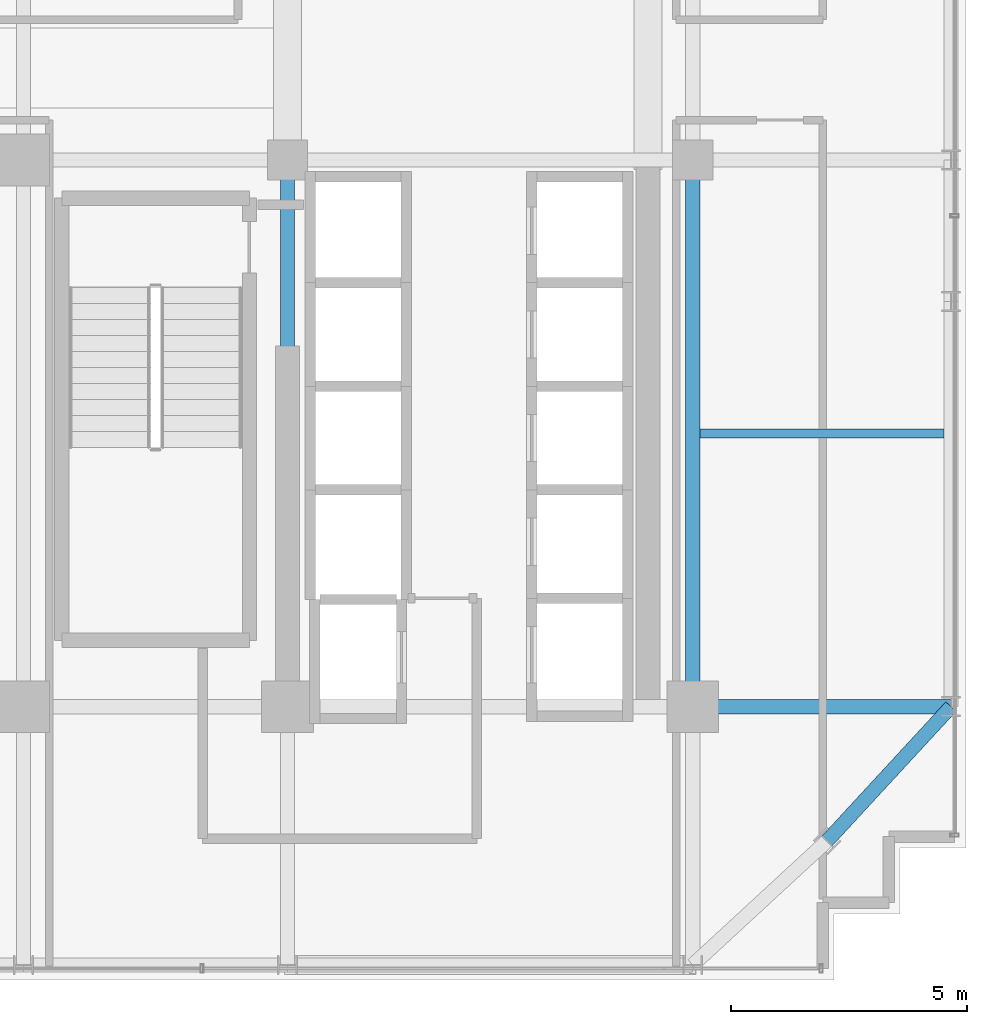
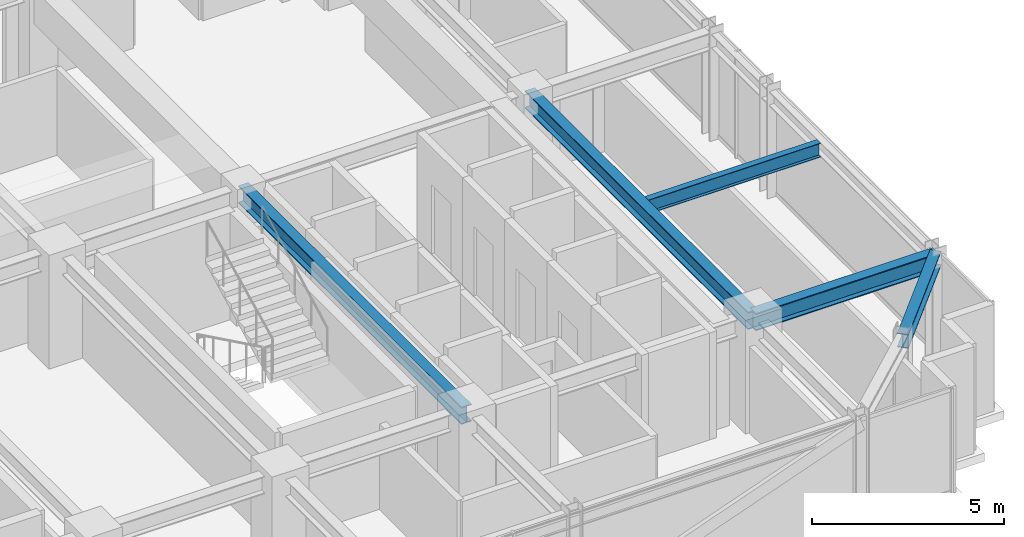
# One storey, part 11 of 32: 5 beams.
"""IFC4 building model written with IfcOpenShell, lengths in metres."""

from ifc_helpers import new_model, si_unit, direction, frame, origin, origin_2d, place, context, subcontext, project, spatial, i_section, extrude, source, transform, mapped, material, material_profile, profile_set, type_object, element, save


model = new_model("IFC4")

# Units and contexts
model_context = context("Model", 3, precision=1e-05, world=origin(), true_north=direction((0.0, 1.0)))
body_context = subcontext(model_context, "Body", "Model", "MODEL_VIEW")
ifc_project = project(units=[si_unit("LENGTHUNIT", "METRE"), si_unit("AREAUNIT", "SQUARE_METRE"), si_unit("VOLUMEUNIT", "CUBIC_METRE"), si_unit("PLANEANGLEUNIT", "RADIAN"), si_unit("MASSUNIT", "GRAM", prefix="KILO")], contexts=[model_context])

# Site, building, storey
site_placement = place(None, origin())
site = spatial("IfcSite", under=ifc_project, at=site_placement, CompositionType="ELEMENT")
building_placement = place(site_placement, origin())
building = spatial("IfcBuilding", under=site, at=building_placement, Name="Nahalor Promenade Grand Hotel", CompositionType="ELEMENT")
storey_placement = place(building_placement, frame((0.0, 0.0, 152.64990234375)))
storey = spatial("IfcBuildingStorey", under=building, at=storey_placement, Name="L38", CompositionType="ELEMENT", Elevation=152.64990234375)

# Beams
ifc_material = material(Name="Steel S355JR", Category="steel")
ifc_material_profile_1 = material_profile(ifc_material, i_section(OverallWidth=0.3, OverallDepth=0.55, WebThickness=0.015, FlangeThickness=0.029, at=origin_2d()), Name="HEB 550")
ifc_profile_set_1 = profile_set([ifc_material_profile_1], Name="Steel S355JR")
beam_type_1 = type_object("IfcBeamType", Name="Beam-Girder-HEB550", PredefinedType="BEAM", material=ifc_profile_set_1)
shared_shape_1 = source(origin(), body_context, "Body", "SweptSolid", [
    extrude(i_section(OverallWidth=0.3, OverallDepth=0.55, WebThickness=0.015, FlangeThickness=0.029, at=origin_2d()), origin(), (0.0, 0.0, 1.0), 11.60009765625),
])
for number, where, z_axis, x_axis, name in (
    (1, (8.39990234375, -17.0, 3.114990234375), (0.0, 1.0, 0.0), (-1.0, 0.0, 0.0), "BM-L38-GY-4-1"),
    (2, (17.0, -17.0, 3.114990234375), (0.0, 1.0, 0.0), (-1.0, 0.0, 0.0), "BM-L38-GY-5-1"),
):
    element("IfcBeam", number, at=place(storey_placement, frame(where, z_axis=z_axis, x_axis=x_axis)), inside=storey, type_object=beam_type_1, Name=name, PredefinedType="BEAM", context=body_context, shape_type="MappedRepresentation", body=[
        mapped(shared_shape_1, transform((0.0, 0.0, 0.0), scale=1.0)),
    ])
shared_shape_2 = source(origin(), body_context, "Body", "SweptSolid", [
    extrude(i_section(OverallWidth=0.3, OverallDepth=0.55, WebThickness=0.015, FlangeThickness=0.029, at=origin_2d()), origin(), (0.0, 0.0, 1.0), 5.47998046875),
])
beam_1_placement = place(storey_placement, frame((17.0, -17.0, 3.114990234375), z_axis=(1.0, 0.0, 0.0), x_axis=(0.0, 1.0, 0.0)))
element("IfcBeam", 3, at=beam_1_placement, inside=storey, type_object=beam_type_1, Name="BM-L38-GX-0-6", PredefinedType="BEAM", context=body_context, shape_type="MappedRepresentation", body=[
    mapped(shared_shape_2, transform((0.0, 0.0, 0.0), scale=1.0)),
])
ifc_material_profile_2 = material_profile(ifc_material, i_section(OverallWidth=0.19, OverallDepth=0.45, WebThickness=0.0094, FlangeThickness=0.0146, at=origin_2d()), Name="IPE 450")
ifc_profile_set_2 = profile_set([ifc_material_profile_2], Name="Steel S355JR")
beam_type_2 = type_object("IfcBeamType", Name="Beam-Joist-IPE450", PredefinedType="JOIST", material=ifc_profile_set_2)
shared_shape_3 = source(origin(), body_context, "Body", "SweptSolid", [
    extrude(i_section(OverallWidth=0.19, OverallDepth=0.45, WebThickness=0.0094, FlangeThickness=0.0146, at=origin_2d()), origin(), (0.0, 0.0, 1.0), 5.18017578125),
])
beam_2_placement = place(storey_placement, frame((17.14990234375, -11.199951171875, 3.1650390625), z_axis=(1.0, 0.0, 0.0), x_axis=(0.0, 1.0, 0.0)))
element("IfcBeam", 4, at=beam_2_placement, inside=storey, type_object=beam_type_2, Name="BM-L38-JSE-0-2", PredefinedType="JOIST", context=body_context, shape_type="MappedRepresentation", body=[
    mapped(shared_shape_3, transform((0.0, 0.0, 0.0), scale=1.0)),
])
ifc_material_profile_3 = material_profile(ifc_material, i_section(OverallWidth=0.3, OverallDepth=0.45, WebThickness=0.014, FlangeThickness=0.026, at=origin_2d()), Name="HEB 450")
ifc_profile_set_3 = profile_set([ifc_material_profile_3], Name="Steel S355JR")
beam_type_3 = type_object("IfcBeamType", Name="Beam-Spandrel-HEB450", PredefinedType="SPANDREL", material=ifc_profile_set_3)
shared_shape_4 = source(origin(), body_context, "Body", "SweptSolid", [
    extrude(i_section(OverallWidth=0.3, OverallDepth=0.45, WebThickness=0.014, FlangeThickness=0.026, at=origin_2d()), origin(), (0.0, 0.0, 1.0), 3.878173828125),
])
beam_3_placement = place(storey_placement, frame((19.85009765625, -19.85009765625, 3.1650390625), z_axis=(0.678144125843, 0.73492893846, 0.0), x_axis=(-0.73492893846, 0.678144125843, 0.0)))
element("IfcBeam", 5, at=beam_3_placement, inside=storey, type_object=beam_type_3, Name="BM-L38-SPC-SE-2", PredefinedType="SPANDREL", context=body_context, shape_type="MappedRepresentation", body=[
    mapped(shared_shape_4, transform((0.0, 0.0, 0.0), scale=1.0)),
])

save(model, "model.ifc")
